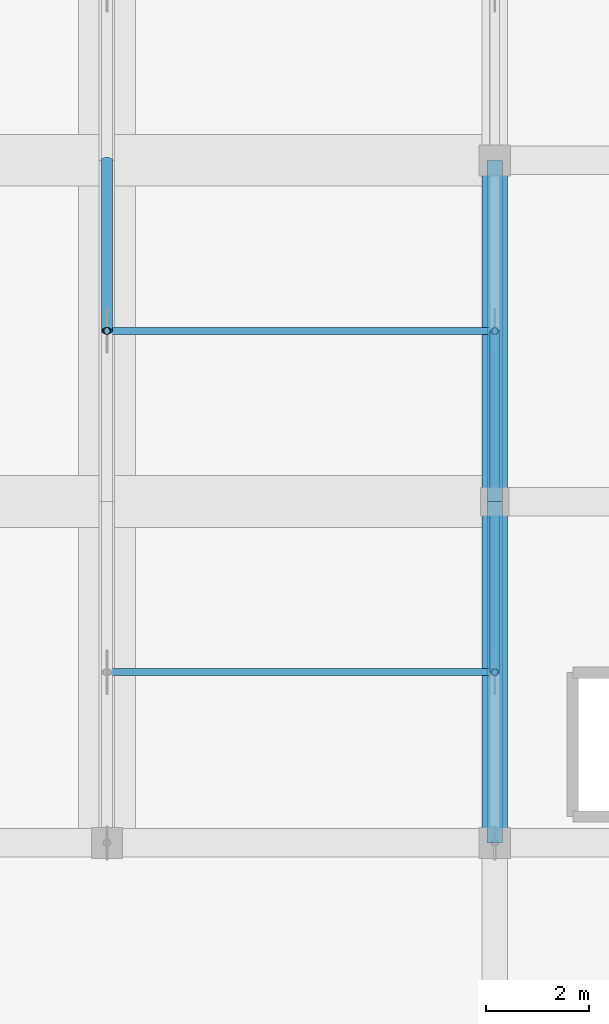
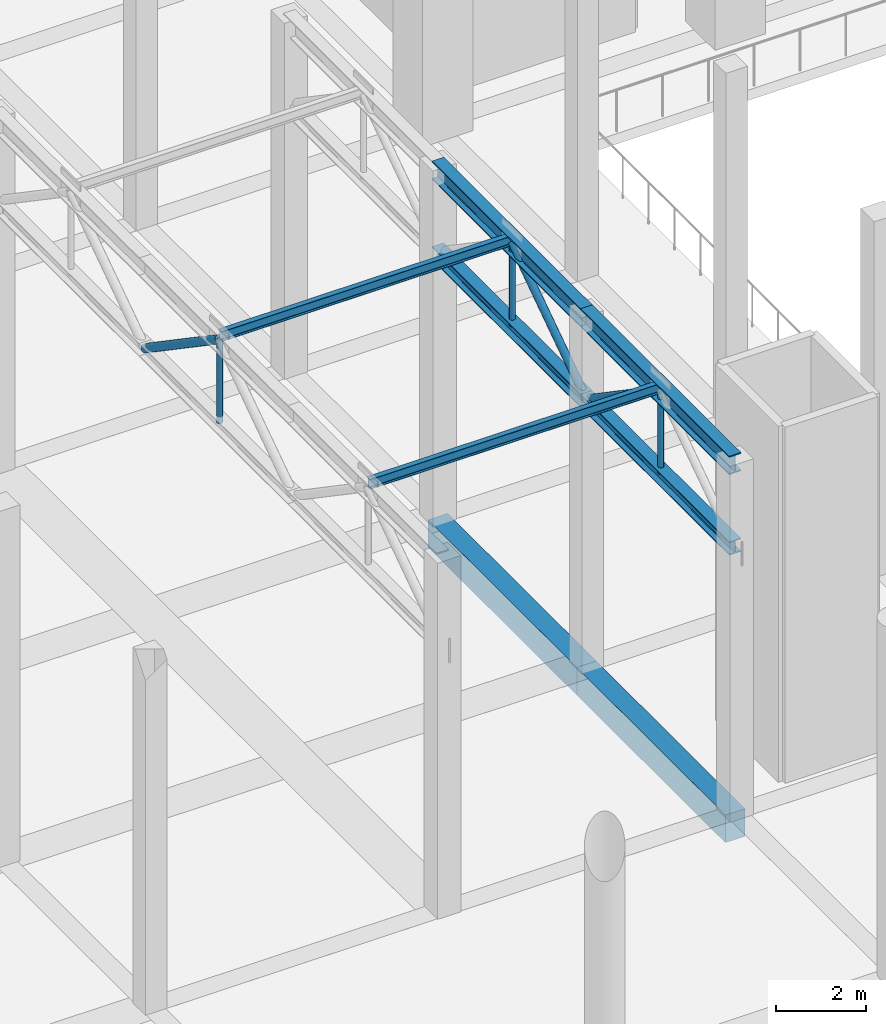
# One storey, part 21 of 80: 12 members, 2 beams.
"""IFC4 building model written with IfcOpenShell, lengths in metres."""

from ifc_helpers import new_model, si_unit, direction, frame, origin, origin_2d, place, context, subcontext, project, spatial, rectangle, hollow_circle, i_section, extrude, material, material_profile, profile_set, type_object, element, save


model = new_model("IFC4")

# Units and contexts
model_context = context("Model", 3, precision=1e-05, world=origin(), true_north=direction((0.0, 1.0)))
body_context = subcontext(model_context, "Body", "Model", "MODEL_VIEW")
ifc_project = project(units=[si_unit("LENGTHUNIT", "METRE"), si_unit("AREAUNIT", "SQUARE_METRE"), si_unit("VOLUMEUNIT", "CUBIC_METRE"), si_unit("PLANEANGLEUNIT", "RADIAN"), si_unit("MASSUNIT", "GRAM", prefix="KILO")], contexts=[model_context])

# Site, building, storey
site_placement = place(None, origin())
site = spatial("IfcSite", under=ifc_project, at=site_placement, CompositionType="ELEMENT")
building_placement = place(site_placement, origin())
building = spatial("IfcBuilding", under=site, at=building_placement, Name="Akrevak Sports Hall", CompositionType="ELEMENT")
storey_placement = place(building_placement, frame((0.0, 0.0, 14.0)))
storey = spatial("IfcBuildingStorey", under=building, at=storey_placement, Name="L03", CompositionType="ELEMENT", Elevation=14.0)

# Beams
ifc_material_1 = material(Name="Concrete C40/50", Category="concrete")
ifc_material_profile_1 = material_profile(ifc_material_1, rectangle(XDim=0.5, YDim=0.75, at=origin_2d()), Name="BM 500x750", Category="concrete")
ifc_profile_set_1 = profile_set([ifc_material_profile_1], Name="Concrete C40/50")
beam_type = type_object("IfcBeamType", Name="STR-BM-RC500x750", PredefinedType="BEAM", material=ifc_profile_set_1)
beam_1_placement = place(storey_placement, frame((30.0, 28.800048828125, -0.375), z_axis=(0.0, 1.0, 0.0), x_axis=(-1.0, 0.0, 0.0)))
element("IfcBeam", 1, at=beam_1_placement, inside=storey, type_object=beam_type, Name="Girder 5/E-F (L03)", PredefinedType="BEAM", context=body_context, shape_type="SweptSolid", body=[
    extrude(rectangle(XDim=0.5, YDim=0.75, at=origin_2d()), origin(), (0.0, 0.0, 1.0), 6.599853515625),
])
beam_2_placement = place(storey_placement, frame((30.0, 35.39990234375, -0.375), z_axis=(0.0, 1.0, 0.0), x_axis=(-1.0, 0.0, 0.0)))
element("IfcBeam", 2, at=beam_2_placement, inside=storey, type_object=beam_type, Name="Girder 5/F-G (L03)", PredefinedType="BEAM", context=body_context, shape_type="SweptSolid", body=[
    extrude(rectangle(XDim=0.5, YDim=0.75, at=origin_2d()), origin(), (0.0, 0.0, 1.0), 6.60009765625),
])

# Members
ifc_material_2 = material(Name="Steel S355", Category="steel")
ifc_material_profile_2 = material_profile(ifc_material_2, hollow_circle(Radius=0.06982421875, WallThickness=0.008056640625, at=origin_2d()), Name="CHS 139.7x8", Category="steel")
ifc_profile_set_2 = profile_set([ifc_material_profile_2], Name="Steel S355")
member_type_1 = type_object("IfcMemberType", Name="STR-MEM-BRACE-CHS139", PredefinedType="BRACE", material=ifc_profile_set_2)
for number, where, z_axis, x_axis, name in (
    (3, (22.5, 38.699951171875, 7.18994140625), (0.0, 0.0, 1.0), (1.0, 0.0, 0.0), "Roof Truss 1 Web Post 2"),
    (4, (30.0, 32.10009765625, 7.18994140625), (0.0, 0.0, 1.0), (1.0, 0.0, 0.0), "Roof Truss 2 Web Post 1"),
    (5, (30.0, 38.699951171875, 7.18994140625), (0.0, 0.0, 1.0), (1.0, 0.0, 0.0), "Roof Truss 2 Web Post 2"),
):
    element("IfcMember", number, at=place(storey_placement, frame(where, z_axis=z_axis, x_axis=x_axis)), inside=storey, type_object=member_type_1, Name=name, PredefinedType="BRACE", context=body_context, shape_type="SweptSolid", body=[
        extrude(hollow_circle(Radius=0.06982421875, WallThickness=0.008056640625, at=origin_2d()), origin(), (0.0, 0.0, 1.0), 2.25),
    ])
ifc_material_profile_3 = material_profile(ifc_material_2, hollow_circle(Radius=0.096923828125, WallThickness=0.010009765625, at=origin_2d()), Name="CHS 193.7x10", Category="steel")
ifc_profile_set_3 = profile_set([ifc_material_profile_3], Name="Steel S355")
member_type_2 = type_object("IfcMemberType", Name="STR-MEM-BRACE-CHS193", PredefinedType="BRACE", material=ifc_profile_set_3)
member_1_placement = place(storey_placement, frame((30.0, 32.10009765625, 9.43994140625), z_axis=(0.0, 0.826211823288, -0.56335958593), x_axis=(-1.0, 0.0, 0.0)))
element("IfcMember", 6, at=member_1_placement, inside=storey, type_object=member_type_2, Name="Roof Truss 2 Web Diagonal 1B", PredefinedType="BRACE", context=body_context, shape_type="SweptSolid", body=[
    extrude(hollow_circle(Radius=0.096923828125, WallThickness=0.010009765625, at=origin_2d()), origin(), (0.0, 0.0, 1.0), 3.993896484375),
])
member_2_placement = place(storey_placement, frame((30.0, 35.39990234375, 7.18994140625), z_axis=(0.0, 0.826231222393, 0.56333113454), x_axis=(-1.0, 0.0, 0.0)))
element("IfcMember", 7, at=member_2_placement, inside=storey, type_object=member_type_2, Name="Roof Truss 2 Web Diagonal 2A", PredefinedType="BRACE", context=body_context, shape_type="SweptSolid", body=[
    extrude(hollow_circle(Radius=0.096923828125, WallThickness=0.010009765625, at=origin_2d()), origin(), (0.0, 0.0, 1.0), 3.994140625),
])
ifc_material_profile_4 = material_profile(ifc_material_2, hollow_circle(Radius=0.109619140625, WallThickness=0.010009765625, at=origin_2d()), Name="CHS 219.1x10", Category="steel")
ifc_profile_set_4 = profile_set([ifc_material_profile_4], Name="Steel S355")
member_type_3 = type_object("IfcMemberType", Name="STR-MEM-BRACE-CHS219", PredefinedType="BRACE", material=ifc_profile_set_4)
member_3_placement = place(storey_placement, frame((22.5, 38.699951171875, 9.43994140625), z_axis=(0.0, 0.826231222393, -0.56333113454), x_axis=(-1.0, 0.0, 0.0)))
element("IfcMember", 8, at=member_3_placement, inside=storey, type_object=member_type_3, Name="Roof Truss 1 Web Diagonal 2B", PredefinedType="BRACE", context=body_context, shape_type="SweptSolid", body=[
    extrude(hollow_circle(Radius=0.109619140625, WallThickness=0.010009765625, at=origin_2d()), origin(), (0.0, 0.0, 1.0), 3.994140625),
])
ifc_material_profile_5 = material_profile(ifc_material_2, i_section(OverallWidth=0.300048828125, OverallDepth=0.360107421875, WebThickness=0.012451171875, FlangeThickness=0.0224609375, FilletRadius=0.027099609375, at=origin_2d()), Name="HEB 360", Category="steel")
ifc_profile_set_5 = profile_set([ifc_material_profile_5], Name="Steel S355")
member_type_4 = type_object("IfcMemberType", Name="STR-MEM-CHORD-HEB360", PredefinedType="CHORD", material=ifc_profile_set_5)
member_4_placement = place(storey_placement, frame((30.0, 28.800048828125, 7.18994140625), z_axis=(0.0, 1.0, 0.0), x_axis=(-1.0, 0.0, 0.0)))
element("IfcMember", 9, at=member_4_placement, inside=storey, type_object=member_type_4, Name="Roof Truss 2 Bottom Chord 1", PredefinedType="CHORD", context=body_context, shape_type="SweptSolid", body=[
    extrude(i_section(OverallWidth=0.300048828125, OverallDepth=0.360107421875, WebThickness=0.012451171875, FlangeThickness=0.0224609375, FilletRadius=0.027099609375, at=origin_2d()), origin(), (0.0, 0.0, 1.0), 6.599853515625),
])
member_5_placement = place(storey_placement, frame((30.0, 35.39990234375, 7.18994140625), z_axis=(0.0, 1.0, 0.0), x_axis=(-1.0, 0.0, 0.0)))
element("IfcMember", 10, at=member_5_placement, inside=storey, type_object=member_type_4, Name="Roof Truss 2 Bottom Chord 2", PredefinedType="CHORD", context=body_context, shape_type="SweptSolid", body=[
    extrude(i_section(OverallWidth=0.300048828125, OverallDepth=0.360107421875, WebThickness=0.012451171875, FlangeThickness=0.0224609375, FilletRadius=0.027099609375, at=origin_2d()), origin(), (0.0, 0.0, 1.0), 6.60009765625),
])
ifc_material_profile_6 = material_profile(ifc_material_2, i_section(OverallWidth=0.300048828125, OverallDepth=0.5, WebThickness=0.014404296875, FlangeThickness=0.028076171875, FilletRadius=0.027099609375, at=origin_2d()), Name="HEB 500", Category="steel")
ifc_profile_set_6 = profile_set([ifc_material_profile_6], Name="Steel S355")
member_type_5 = type_object("IfcMemberType", Name="STR-MEM-CHORD-HEB500", PredefinedType="CHORD", material=ifc_profile_set_6)
member_6_placement = place(storey_placement, frame((30.0, 28.800048828125, 9.43994140625), z_axis=(0.0, 1.0, 0.0), x_axis=(-1.0, 0.0, 0.0)))
element("IfcMember", 11, at=member_6_placement, inside=storey, type_object=member_type_5, Name="Roof Truss 2 Top Chord 1", PredefinedType="CHORD", context=body_context, shape_type="SweptSolid", body=[
    extrude(i_section(OverallWidth=0.300048828125, OverallDepth=0.5, WebThickness=0.014404296875, FlangeThickness=0.028076171875, FilletRadius=0.027099609375, at=origin_2d()), origin(), (0.0, 0.0, 1.0), 6.599853515625),
])
member_7_placement = place(storey_placement, frame((30.0, 35.39990234375, 9.43994140625), z_axis=(0.0, 1.0, 0.0), x_axis=(-1.0, 0.0, 0.0)))
element("IfcMember", 12, at=member_7_placement, inside=storey, type_object=member_type_5, Name="Roof Truss 2 Top Chord 2", PredefinedType="CHORD", context=body_context, shape_type="SweptSolid", body=[
    extrude(i_section(OverallWidth=0.300048828125, OverallDepth=0.5, WebThickness=0.014404296875, FlangeThickness=0.028076171875, FilletRadius=0.027099609375, at=origin_2d()), origin(), (0.0, 0.0, 1.0), 6.60009765625),
])
ifc_material_profile_7 = material_profile(ifc_material_2, i_section(OverallWidth=0.135009765625, OverallDepth=0.27001953125, WebThickness=0.006591796875, FlangeThickness=0.01025390625, FilletRadius=0.014892578125, at=origin_2d()), Name="IPE 270", Category="steel")
ifc_profile_set_7 = profile_set([ifc_material_profile_7], Name="Steel S355")
member_type_6 = type_object("IfcMemberType", Name="STR-MEM-PUR-IPE270", PredefinedType="PURLIN", material=ifc_profile_set_7)
for number, where, z_axis, x_axis, name in (
    (13, (22.5, 32.10009765625, 9.534912109375), (1.0, 0.0, 0.0), (0.0, 1.0, 0.0), "Roof Steel Purlin PR-1.1"),
    (14, (22.5, 38.699951171875, 9.534912109375), (1.0, 0.0, 0.0), (0.0, 1.0, 0.0), "Roof Steel Purlin PR-1.2"),
):
    element("IfcMember", number, at=place(storey_placement, frame(where, z_axis=z_axis, x_axis=x_axis)), inside=storey, type_object=member_type_6, Name=name, PredefinedType="PURLIN", context=body_context, shape_type="SweptSolid", body=[
        extrude(i_section(OverallWidth=0.135009765625, OverallDepth=0.27001953125, WebThickness=0.006591796875, FlangeThickness=0.01025390625, FilletRadius=0.014892578125, at=origin_2d()), origin(), (0.0, 0.0, 1.0), 7.5),
    ])

save(model, "model.ifc")
